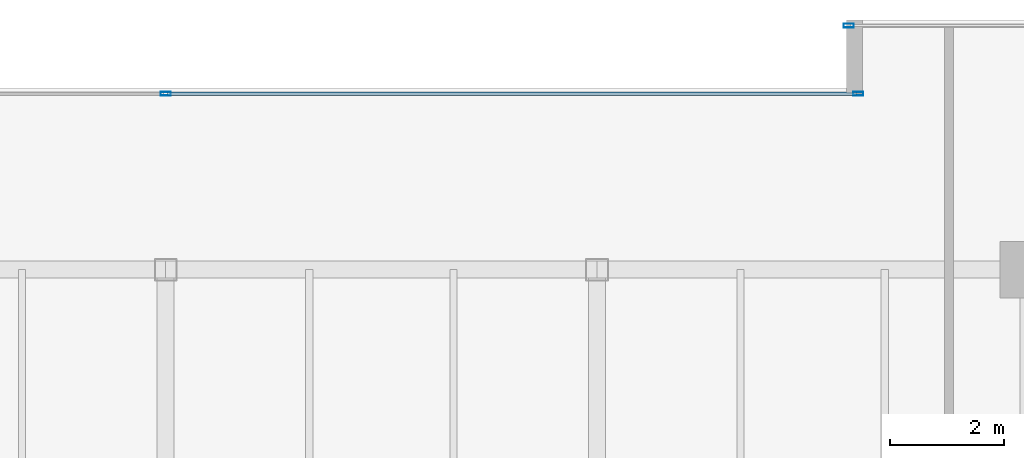
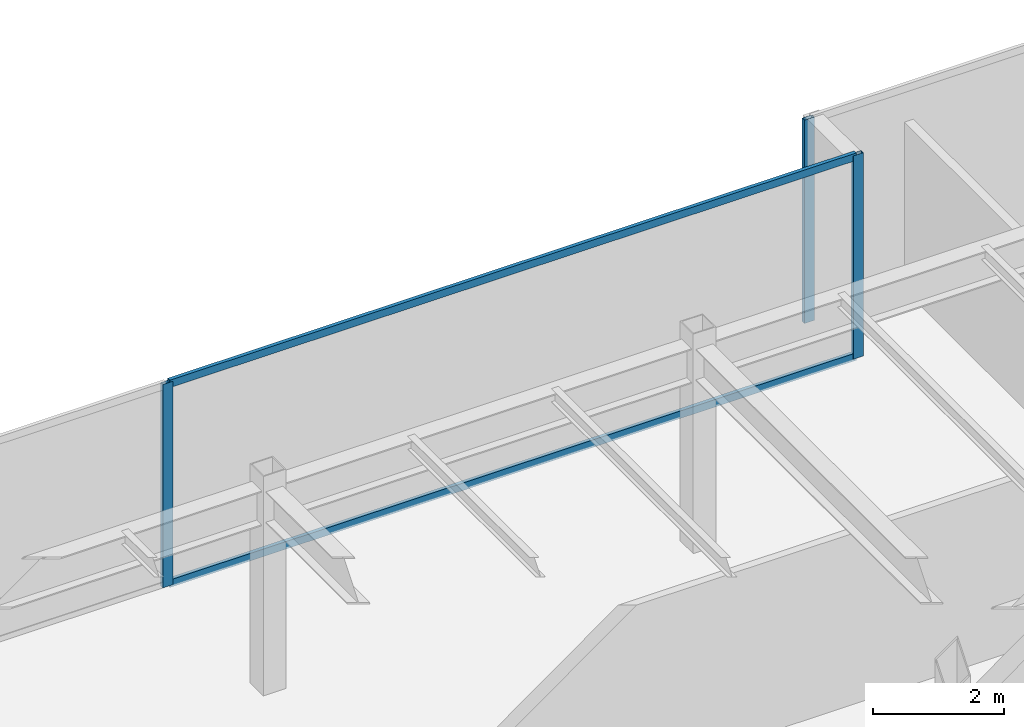
# One storey, part 19 of 33: 5 members, 2 elements without a shape of their own.
"""IFC4 building model written with IfcOpenShell, lengths in metres."""

from ifc_helpers import new_model, si_unit, direction, frame, origin, origin_2d, place, context, subcontext, project, spatial, hollow_rectangle, extrude, source, transform, mapped, material, layer, layer_set, material_profile, profile_set, type_object, type_shapes, element, aggregate, save


model = new_model("IFC4")

# Units and contexts
model_context = context("Model", 3, precision=1e-05, world=origin(), true_north=direction((0.0, 1.0)))
body_context = subcontext(model_context, "Body", "Model", "MODEL_VIEW")
ifc_project = project(units=[si_unit("LENGTHUNIT", "METRE"), si_unit("AREAUNIT", "SQUARE_METRE"), si_unit("VOLUMEUNIT", "CUBIC_METRE"), si_unit("PLANEANGLEUNIT", "RADIAN"), si_unit("MASSUNIT", "GRAM", prefix="KILO")], contexts=[model_context])

# Site, building, storey
site_placement = place(None, origin())
site = spatial("IfcSite", under=ifc_project, at=site_placement, CompositionType="ELEMENT")
building_placement = place(site_placement, origin())
building = spatial("IfcBuilding", under=site, at=building_placement, Name="Haelvirn Gate Laboratories", CompositionType="ELEMENT")
storey_placement = place(building_placement, frame((0.0, 0.0, 267.0)))
storey = spatial("IfcBuildingStorey", under=building, at=storey_placement, Name="L64", CompositionType="ELEMENT", Elevation=267.0)

# Curtain wall, members
ifc_material_1 = material(Name="Anodised bronze unitised aluminium & triple low-E glass", Category="aluminium")
ifc_layer = layer(ifc_material_1, 0.176025390625, Name="CW-SYS-4")
ifc_layer_set = layer_set([ifc_layer], Name="Anodised bronze unitised aluminium & triple low-E glass")
curtain_wall_type = type_object("IfcCurtainWallType", Name="CW-SYS-4", PredefinedType="NOTDEFINED", material=ifc_layer_set)
curtain_wall_1_placement = place(storey_placement, origin())
curtain_wall_1 = element("IfcCurtainWall", 1, at=curtain_wall_1_placement, inside=storey, type_object=curtain_wall_type, Name="L64 Unitised Curtain Wall CW-L64-P0-E12-1", PredefinedType="NOTDEFINED")
ifc_material_2 = material(Name="Extruded aluminium 6063-T6 (anodised bronze)", Category="aluminium")
ifc_material_profile_1 = material_profile(ifc_material_2, hollow_rectangle(XDim=0.06494140625, YDim=0.139892578125, WallThickness=0.00390625, at=origin_2d()), Name="CWT-140x65x4")
ifc_profile_set_1 = profile_set([ifc_material_profile_1], Name="Extruded aluminium 6063-T6 (anodised bronze)")
member_type_1 = type_object("IfcMemberType", Name="CWT-T140", PredefinedType="USERDEFINED", material=ifc_profile_set_1)
shared_shape_1 = source(origin(), body_context, "Body", "SweptSolid", [
    extrude(hollow_rectangle(XDim=0.06494140625, YDim=0.139892578125, WallThickness=0.00390625, at=origin_2d()), origin(), (0.0, 0.0, 1.0), 12.135009765625),
])
type_shapes(member_type_1, [shared_shape_1])
member_1_placement = place(storey_placement, frame((37.43505859375, 44.699951171875, 0.032470703125), z_axis=(1.0, 0.0, 0.0), x_axis=(0.0, 1.0, 0.0)))
member_1 = element("IfcMember", 2, at=member_1_placement, type_object=member_type_1, Name="CW4 transom 2.1", ObjectType="TRANSOM", PredefinedType="USERDEFINED", context=body_context, shape_type="MappedRepresentation", body=[
    mapped(shared_shape_1, transform((0.0, 0.0, 0.0), scale=1.0)),
])
member_2_placement = place(storey_placement, frame((37.43505859375, 44.699951171875, 3.767578125), z_axis=(1.0, 0.0, 0.0), x_axis=(0.0, 1.0, 0.0)))
member_2 = element("IfcMember", 3, at=member_2_placement, type_object=member_type_1, Name="CW4 transom 2.2", ObjectType="TRANSOM", PredefinedType="USERDEFINED", context=body_context, shape_type="MappedRepresentation", body=[
    mapped(shared_shape_1, transform((0.0, 0.0, 0.0), scale=1.0)),
])

# Curtain wall, member
curtain_wall_2_placement = place(storey_placement, origin())
curtain_wall_2 = element("IfcCurtainWall", 4, at=curtain_wall_2_placement, inside=storey, type_object=curtain_wall_type, Name="L64 Unitised Curtain Wall CW-L64-P0-E10-1", PredefinedType="NOTDEFINED")
ifc_material_profile_2 = material_profile(ifc_material_2, hollow_rectangle(XDim=0.070068359375, YDim=0.179931640625, WallThickness=0.0048828125, at=origin_2d()), Name="CWM-180x70x5")
ifc_profile_set_2 = profile_set([ifc_material_profile_2], Name="Extruded aluminium 6063-T6 (anodised bronze)")
member_type_2 = type_object("IfcMemberType", Name="CWM-T180", PredefinedType="MULLION", material=ifc_profile_set_2)
shared_shape_2 = source(origin(), body_context, "Body", "SweptSolid", [
    extrude(hollow_rectangle(XDim=0.070068359375, YDim=0.179931640625, WallThickness=0.0048828125, at=origin_2d()), origin(), (0.0, 0.0, 1.0), 3.800048828125),
])
type_shapes(member_type_2, [shared_shape_2])
member_3_placement = place(storey_placement, frame((49.43505859375, 45.89990234375, 0.0), z_axis=(0.0, 0.0, 1.0), x_axis=(0.0, 1.0, 0.0)))
member_3 = element("IfcMember", 5, at=member_3_placement, type_object=member_type_2, Name="CW4 mullion 1", PredefinedType="MULLION", context=body_context, shape_type="MappedRepresentation", body=[
    mapped(shared_shape_2, transform((0.0, 0.0, 0.0), scale=1.0)),
])
aggregate(curtain_wall_2, [member_3])

# Member
member_4_placement = place(storey_placement, frame((37.39990234375, 44.699951171875, 0.0), z_axis=(0.0, 0.0, 1.0), x_axis=(0.0, 1.0, 0.0)))
member_4 = element("IfcMember", 6, at=member_4_placement, type_object=member_type_2, Name="CW4 mullion 2", PredefinedType="MULLION", context=body_context, shape_type="MappedRepresentation", body=[
    mapped(shared_shape_2, transform((0.0, 0.0, 0.0), scale=1.0)),
])

member_5_placement = place(storey_placement, frame((49.60498046875, 44.699951171875, 0.0), z_axis=(0.0, 0.0, 1.0), x_axis=(0.0, 1.0, 0.0)))
member_5 = element("IfcMember", 7, at=member_5_placement, type_object=member_type_2, Name="CW4 mullion 3", PredefinedType="MULLION", context=body_context, shape_type="MappedRepresentation", body=[
    mapped(shared_shape_2, transform((0.0, 0.0, 0.0), scale=1.0)),
])

aggregate(curtain_wall_1, [member_4, member_5, member_1, member_2])

save(model, "model.ifc")
